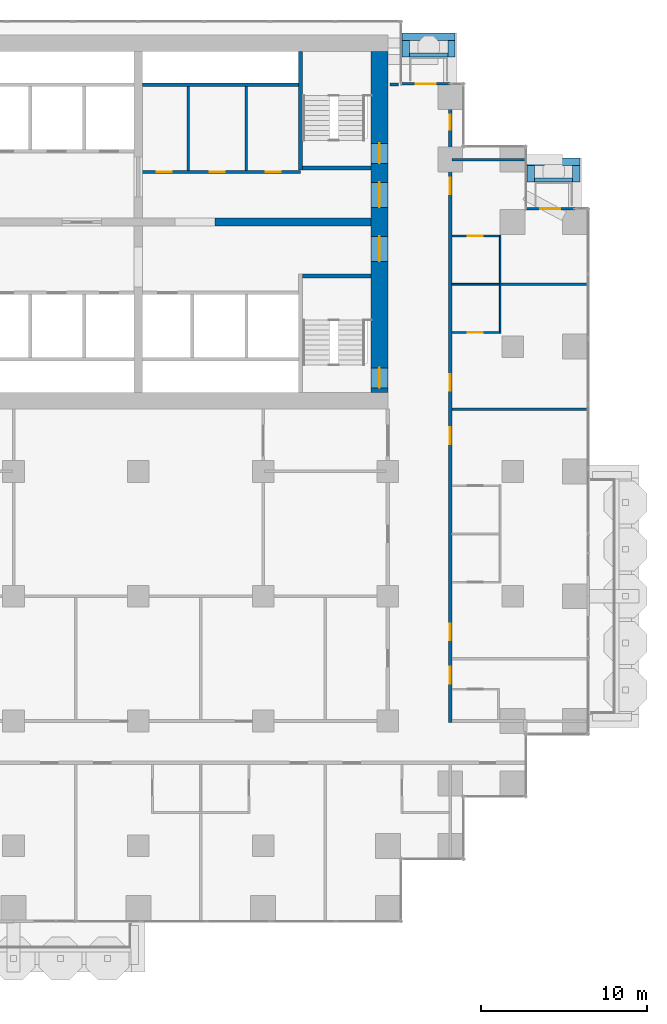
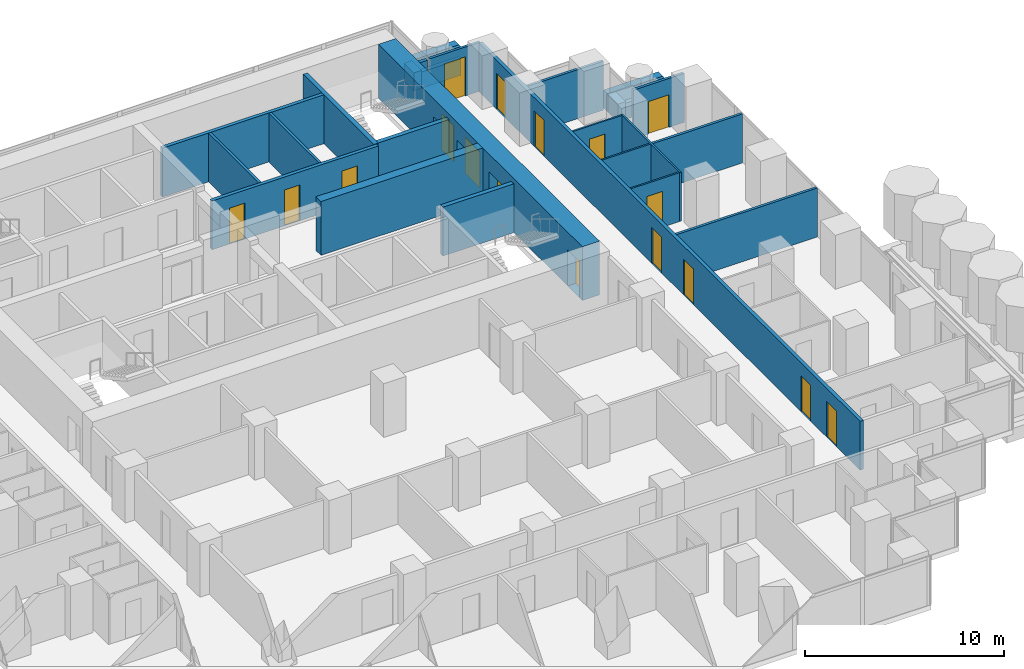
# One storey, part 14 of 18: 28 walls, 17 doors, 17 openings.
"""IFC4 building model written with IfcOpenShell, lengths in metres."""

from ifc_helpers import new_model, si_unit, direction, frame, frame_2d, origin, place, context, subcontext, project, spatial, rectangle, extrude, material, layer, layer_set, type_object, element, fill, save


model = new_model("IFC4")

# Units and contexts
model_context = context("Model", 3, precision=1e-05, world=origin(), true_north=direction((0.0, 1.0)))
body_context = subcontext(model_context, "Body", "Model", "MODEL_VIEW")
ifc_project = project(units=[si_unit("LENGTHUNIT", "METRE"), si_unit("AREAUNIT", "SQUARE_METRE"), si_unit("VOLUMEUNIT", "CUBIC_METRE"), si_unit("PLANEANGLEUNIT", "RADIAN"), si_unit("MASSUNIT", "GRAM", prefix="KILO")], contexts=[model_context])

# Site, building, storey
site_placement = place(None, origin())
site = spatial("IfcSite", under=ifc_project, at=site_placement, CompositionType="ELEMENT")
building_placement = place(site_placement, origin())
building = spatial("IfcBuilding", under=site, at=building_placement, Name="Pilkhan Gate Tower", CompositionType="ELEMENT")
storey_placement = place(building_placement, frame((0.0, 0.0, 75.800048828125)))
storey = spatial("IfcBuildingStorey", under=building, at=storey_placement, Name="L17", CompositionType="ELEMENT", Elevation=75.800048828125)

# Walls
ifc_material_1 = material(Name="Concrete C40/50", Category="concrete")
ifc_layer_1 = layer(ifc_material_1, 0.25)
ifc_layer_set_1 = layer_set([ifc_layer_1], Name="Balcony planter BP250")
wall_type_1 = type_object("IfcWallType", Name="Balcony planter BP250", PredefinedType="USERDEFINED", material=ifc_layer_set_1)
wall_1_placement = place(storey_placement, frame((91.300048828125, 92.52490234375, 0.0), z_axis=(0.0, 0.0, 1.0), x_axis=(1.0, 0.0, 0.0)))
element("IfcWall", 1, at=wall_1_placement, inside=storey, type_object=wall_type_1, Name="Balcony planter L17 N", ObjectType="BALCONY PLANTER", PredefinedType="USERDEFINED", context=body_context, shape_type="SweptSolid", body=[
    extrude(rectangle(XDim=2.300048828125, YDim=0.25, at=frame_2d((1.14990234375, 0.0))), origin(), (0.0, 0.0, 1.0), 1.0),
])
wall_2_placement = place(storey_placement, frame((98.820068359375, 85.02490234375, 0.0), z_axis=(0.0, 0.0, 1.0), x_axis=(1.0, 0.0, 0.0)))
element("IfcWall", 2, at=wall_2_placement, inside=storey, type_object=wall_type_1, Name="Balcony planter L17 N", ObjectType="BALCONY PLANTER", PredefinedType="USERDEFINED", context=body_context, shape_type="SweptSolid", body=[
    extrude(rectangle(XDim=2.280029296875, YDim=0.25, at=frame_2d((1.14013671875, 0.0))), origin(), (0.0, 0.0, 1.0), 1.0),
])
ifc_material_2 = material(Name="Board-marked Concrete C40/50", Category="concrete")
ifc_layer_2 = layer(ifc_material_2, 0.449951171875)
ifc_layer_set_2 = layer_set([ifc_layer_2], Name="Balcony planter lip BL450")
wall_type_2 = type_object("IfcWallType", Name="Balcony planter lip BL450", PredefinedType="USERDEFINED", material=ifc_layer_set_2)
wall_3_placement = place(storey_placement, frame((90.85009765625, 93.625, 0.0), z_axis=(0.0, 0.0, 1.0), x_axis=(1.0, 0.0, 0.0)))
element("IfcWall", 3, at=wall_3_placement, inside=storey, type_object=wall_type_2, Name="Balcony planter L17 N", ObjectType="BALCONY PLANTER", PredefinedType="USERDEFINED", context=body_context, shape_type="SweptSolid", body=[
    extrude(rectangle(XDim=3.199951171875, YDim=0.449951171875, at=frame_2d((1.60009765625, 0.0))), origin(), (0.0, 0.0, 1.0), 1.099853515625),
])
for number, where, z_axis, x_axis, name in (
    (4, (91.074951171875, 92.39990234375, 0.0), (0.0, 0.0, 1.0), (0.0, 1.0, 0.0), "Balcony planter L17 N"),
    (5, (93.824951171875, 92.39990234375, 0.0), (0.0, 0.0, 1.0), (0.0, 1.0, 0.0), "Balcony planter L17 N"),
):
    element("IfcWall", number, at=place(storey_placement, frame(where, z_axis=z_axis, x_axis=x_axis)), inside=storey, type_object=wall_type_2, Name=name, ObjectType="BALCONY PLANTER", PredefinedType="USERDEFINED", context=body_context, shape_type="SweptSolid", body=[
        extrude(rectangle(XDim=1.0, YDim=0.449951171875, at=frame_2d((0.5, 0.0))), origin(), (0.0, 0.0, 1.0), 1.099853515625),
    ])
wall_4_placement = place(storey_placement, frame((98.3701171875, 86.125, 0.0), z_axis=(0.0, 0.0, 1.0), x_axis=(1.0, 0.0, 0.0)))
element("IfcWall", 6, at=wall_4_placement, inside=storey, type_object=wall_type_2, Name="Balcony planter L17 N", ObjectType="BALCONY PLANTER", PredefinedType="USERDEFINED", context=body_context, shape_type="SweptSolid", body=[
    extrude(rectangle(XDim=3.179931640625, YDim=0.449951171875, at=frame_2d((1.58984375, 0.0))), origin(), (0.0, 0.0, 1.0), 1.099853515625),
])
for number, where, z_axis, x_axis, name in (
    (7, (98.594970703125, 84.89990234375, 0.0), (0.0, 0.0, 1.0), (0.0, 1.0, 0.0), "Balcony planter L17 N"),
    (8, (101.324951171875, 84.89990234375, 0.0), (0.0, 0.0, 1.0), (0.0, 1.0, 0.0), "Balcony planter L17 N"),
):
    element("IfcWall", number, at=place(storey_placement, frame(where, z_axis=z_axis, x_axis=x_axis)), inside=storey, type_object=wall_type_2, Name=name, ObjectType="BALCONY PLANTER", PredefinedType="USERDEFINED", context=body_context, shape_type="SweptSolid", body=[
        extrude(rectangle(XDim=1.0, YDim=0.449951171875, at=frame_2d((0.5, 0.0))), origin(), (0.0, 0.0, 1.0), 1.099853515625),
    ])

# Wall, openings, doors
ifc_material_3 = material(Name="Concrete C70/85", Category="concrete")
ifc_layer_3 = layer(ifc_material_3, 1.0)
ifc_layer_set_3 = layer_set([ifc_layer_3], Name="Core wall CW1000 C70/85")
wall_type_3 = type_object("IfcWallType", Name="Core wall CW1000 C70/85", PredefinedType="SHEAR", material=ifc_layer_set_3)
wall_5_placement = place(storey_placement, frame((89.5, 72.25, 0.0), z_axis=(0.0, 0.0, 1.0), x_axis=(0.0, 1.0, 0.0)))
wall_5 = element("IfcWall", 9, at=wall_5_placement, inside=storey, type_object=wall_type_3, Name="Core wall E L17", PredefinedType="SHEAR", context=body_context, shape_type="SweptSolid", body=[
    extrude(rectangle(XDim=20.5, YDim=1.0, at=frame_2d((10.25, 0.0))), origin(), (0.0, 0.0, 1.0), 3.300048828125),
])
opening_1_placement = place(wall_5_placement, frame((0.27490234375, 0.0, 0.0)))
opening_1 = element("IfcOpeningElement", 10, at=opening_1_placement, cuts=wall_5, Name="Opening L17-03", PredefinedType="OPENING", context=body_context, shape_type="SweptSolid", body=[
    extrude(rectangle(XDim=1.199951171875, YDim=2.199951171875, at=frame_2d((0.60009765625, 1.10009765625))), frame((0.0, 0.510009765625, 0.0), z_axis=(0.0, -1.0, 0.0), x_axis=(1.0, 0.0, 0.0)), (0.0, 0.0, 1.0), 1.02001953125),
])
opening_2_placement = place(wall_5_placement, frame((13.77490234375, 0.0, 0.0)))
opening_2 = element("IfcOpeningElement", 11, at=opening_2_placement, cuts=wall_5, Name="Opening L17-05", PredefinedType="OPENING", context=body_context, shape_type="SweptSolid", body=[
    extrude(rectangle(XDim=1.199951171875, YDim=2.199951171875, at=frame_2d((0.60009765625, 1.10009765625))), frame((0.0, 0.510009765625, 0.0), z_axis=(0.0, -1.0, 0.0), x_axis=(1.0, 0.0, 0.0)), (0.0, 0.0, 1.0), 1.02001953125),
])
opening_3_placement = place(wall_5_placement, frame((7.875, 0.0, 0.0)))
opening_3 = element("IfcOpeningElement", 12, at=opening_3_placement, cuts=wall_5, Name="Opening L17-42", PredefinedType="OPENING", context=body_context, shape_type="SweptSolid", body=[
    extrude(rectangle(XDim=1.5, YDim=2.199951171875, at=frame_2d((0.75, 1.10009765625))), frame((0.0, 0.510009765625, 0.0), z_axis=(0.0, -1.0, 0.0), x_axis=(1.0, 0.0, 0.0)), (0.0, 0.0, 1.0), 1.02001953125),
])
opening_4_placement = place(wall_5_placement, frame((11.125, 0.0, 0.0)))
opening_4 = element("IfcOpeningElement", 13, at=opening_4_placement, cuts=wall_5, Name="Opening L17-44", PredefinedType="OPENING", context=body_context, shape_type="SweptSolid", body=[
    extrude(rectangle(XDim=1.5, YDim=2.199951171875, at=frame_2d((0.75, 1.10009765625))), frame((0.0, 0.510009765625, 0.0), z_axis=(0.0, -1.0, 0.0), x_axis=(1.0, 0.0, 0.0)), (0.0, 0.0, 1.0), 1.02001953125),
])
ifc_material_4 = material(Name="Steel framed glazed door, 60 minute fire resisting", Category="steel")
door_type_1 = type_object("IfcDoorType", Name="Lobby door D09 1500x2200", OperationType="DOUBLE_DOOR_SINGLE_SWING", PredefinedType="DOOR", material=ifc_material_4)
door_1_placement = place(opening_3_placement, origin())
door_1 = element("IfcDoor", 14, at=door_1_placement, inside=storey, type_object=door_type_1, Name="Core door", OperationType="DOUBLE_DOOR_SINGLE_SWING", OverallHeight=2.199951171875, OverallWidth=1.5, PredefinedType="DOOR", context=body_context, shape_type="SweptSolid", body=[
    extrude(rectangle(XDim=1.5, YDim=2.199951171875, at=frame_2d((0.75, 1.10009765625))), frame((0.0, 0.02490234375, 0.0), z_axis=(0.0, -1.0, 0.0), x_axis=(1.0, 0.0, 0.0)), (0.0, 0.0, 1.0), 0.050048828125),
])
fill(opening_3, door_1)
door_2_placement = place(opening_4_placement, origin())
door_2 = element("IfcDoor", 15, at=door_2_placement, inside=storey, type_object=door_type_1, Name="Core door", OperationType="DOUBLE_DOOR_SINGLE_SWING", OverallHeight=2.199951171875, OverallWidth=1.5, PredefinedType="DOOR", context=body_context, shape_type="SweptSolid", body=[
    extrude(rectangle(XDim=1.5, YDim=2.199951171875, at=frame_2d((0.75, 1.10009765625))), frame((0.0, 0.02490234375, 0.0), z_axis=(0.0, -1.0, 0.0), x_axis=(1.0, 0.0, 0.0)), (0.0, 0.0, 1.0), 0.050048828125),
])
fill(opening_4, door_2)
ifc_material_5 = material(Name="Steel door, 120 minute fire resisting, panic bar", Category="steel")
door_type_2 = type_object("IfcDoorType", Name="Stair door D11 1200x2200", OperationType="SINGLE_SWING_LEFT", PredefinedType="DOOR", material=ifc_material_5)
door_3_placement = place(opening_1_placement, origin())
door_3 = element("IfcDoor", 16, at=door_3_placement, inside=storey, type_object=door_type_2, Name="Stair ST1 door", OperationType="SINGLE_SWING_RIGHT", OverallHeight=2.199951171875, OverallWidth=1.199951171875, PredefinedType="DOOR", context=body_context, shape_type="SweptSolid", body=[
    extrude(rectangle(XDim=1.199951171875, YDim=2.199951171875, at=frame_2d((0.60009765625, 1.10009765625))), frame((0.0, 0.02490234375, 0.0), z_axis=(0.0, -1.0, 0.0), x_axis=(1.0, 0.0, 0.0)), (0.0, 0.0, 1.0), 0.050048828125),
])
fill(opening_1, door_3)
door_4_placement = place(opening_2_placement, origin())
door_4 = element("IfcDoor", 17, at=door_4_placement, inside=storey, type_object=door_type_2, Name="Stair ST4 door", OperationType="SINGLE_SWING_LEFT", OverallHeight=2.199951171875, OverallWidth=1.199951171875, PredefinedType="DOOR", context=body_context, shape_type="SweptSolid", body=[
    extrude(rectangle(XDim=1.199951171875, YDim=2.199951171875, at=frame_2d((0.60009765625, 1.10009765625))), frame((0.0, 0.02490234375, 0.0), z_axis=(0.0, -1.0, 0.0), x_axis=(1.0, 0.0, 0.0)), (0.0, 0.0, 1.0), 0.050048828125),
])
fill(opening_2, door_4)

# Wall
ifc_material_6 = material(Name="Dense blockwork", Category="masonry")
ifc_layer_4 = layer(ifc_material_6, 0.199951171875)
ifc_layer_set_4 = layer_set([ifc_layer_4], Name="Corridor wall FW200")
wall_type_4 = type_object("IfcWallType", Name="Corridor wall FW200", PredefinedType="PARTITIONING", material=ifc_layer_set_4)
wall_6_placement = place(storey_placement, frame((90.1201171875, 90.764892578125, 0.0), z_axis=(0.0, 0.0, 1.0), x_axis=(1.0, 0.0, 0.0)))
element("IfcWall", 18, at=wall_6_placement, inside=storey, type_object=wall_type_4, Name="Partition L17", PredefinedType="PARTITIONING", context=body_context, shape_type="SweptSolid", body=[
    extrude(rectangle(XDim=0.52490234375, YDim=0.199951171875, at=frame_2d((0.262451171875, 0.0))), origin(), (0.0, 0.0, 1.0), 3.0),
])

# Wall, openings, doors
wall_7_placement = place(storey_placement, frame((93.75, 52.39990234375, 0.0), z_axis=(0.0, 0.0, 1.0), x_axis=(0.0, 1.0, 0.0)))
wall_7 = element("IfcWall", 19, at=wall_7_placement, inside=storey, type_object=wall_type_4, Name="Partition L17", PredefinedType="PARTITIONING", context=body_context, shape_type="SweptSolid", body=[
    extrude(rectangle(XDim=38.31005859375, YDim=0.199951171875, at=frame_2d((19.155029296875, 0.0))), origin(), (0.0, 0.0, 1.0), 3.0),
])
opening_5_placement = place(wall_7_placement, frame((2.35009765625, 0.0, 0.0)))
opening_5 = element("IfcOpeningElement", 20, at=opening_5_placement, cuts=wall_7, Name="Opening L17-32", PredefinedType="OPENING", context=body_context, shape_type="SweptSolid", body=[
    extrude(rectangle(XDim=1.0, YDim=2.199951171875, at=frame_2d((0.5, 1.10009765625))), frame((0.0, 0.10986328125, 0.0), z_axis=(0.0, -1.0, 0.0), x_axis=(1.0, 0.0, 0.0)), (0.0, 0.0, 1.0), 0.219970703125),
])
opening_6_placement = place(wall_7_placement, frame((4.949951171875, 0.0, 0.0)))
opening_6 = element("IfcOpeningElement", 21, at=opening_6_placement, cuts=wall_7, Name="Opening L17-34", PredefinedType="OPENING", context=body_context, shape_type="SweptSolid", body=[
    extrude(rectangle(XDim=1.0, YDim=2.199951171875, at=frame_2d((0.5, 1.10009765625))), frame((0.0, 0.10986328125, 0.0), z_axis=(0.0, -1.0, 0.0), x_axis=(1.0, 0.0, 0.0)), (0.0, 0.0, 1.0), 0.219970703125),
])
opening_7_placement = place(wall_7_placement, frame((16.75, 0.0, 0.0)))
opening_7 = element("IfcOpeningElement", 22, at=opening_7_placement, cuts=wall_7, Name="Opening L17-36", PredefinedType="OPENING", context=body_context, shape_type="SweptSolid", body=[
    extrude(rectangle(XDim=1.0, YDim=2.199951171875, at=frame_2d((0.5, 1.10009765625))), frame((0.0, 0.10986328125, 0.0), z_axis=(0.0, -1.0, 0.0), x_axis=(1.0, 0.0, 0.0)), (0.0, 0.0, 1.0), 0.219970703125),
])
opening_8_placement = place(wall_7_placement, frame((19.949951171875, 0.0, 0.0)))
opening_8 = element("IfcOpeningElement", 23, at=opening_8_placement, cuts=wall_7, Name="Opening L17-38", PredefinedType="OPENING", context=body_context, shape_type="SweptSolid", body=[
    extrude(rectangle(XDim=1.0, YDim=2.199951171875, at=frame_2d((0.5, 1.10009765625))), frame((0.0, 0.10986328125, 0.0), z_axis=(0.0, -1.0, 0.0), x_axis=(1.0, 0.0, 0.0)), (0.0, 0.0, 1.0), 0.219970703125),
])
opening_9_placement = place(wall_7_placement, frame((31.75, 0.0, 0.0)))
opening_9 = element("IfcOpeningElement", 24, at=opening_9_placement, cuts=wall_7, Name="Opening L17-40", PredefinedType="OPENING", context=body_context, shape_type="SweptSolid", body=[
    extrude(rectangle(XDim=1.0, YDim=2.199951171875, at=frame_2d((0.5, 1.10009765625))), frame((0.0, 0.10986328125, 0.0), z_axis=(0.0, -1.0, 0.0), x_axis=(1.0, 0.0, 0.0)), (0.0, 0.0, 1.0), 0.219970703125),
])
opening_10_placement = place(wall_7_placement, frame((35.64990234375, 0.0, 0.0)))
opening_10 = element("IfcOpeningElement", 25, at=opening_10_placement, cuts=wall_7, Name="Opening L17-51", PredefinedType="OPENING", context=body_context, shape_type="SweptSolid", body=[
    extrude(rectangle(XDim=0.89990234375, YDim=2.199951171875, at=frame_2d((0.449951171875, 1.10009765625))), frame((0.0, 0.10986328125, 0.0), z_axis=(0.0, -1.0, 0.0), x_axis=(1.0, 0.0, 0.0)), (0.0, 0.0, 1.0), 0.219970703125),
])
ifc_material_7 = material(Name="Timber flush door, 30 minute fire resisting", Category="wood")
door_type_3 = type_object("IfcDoorType", Name="Guest room door D01 1000x2200", OperationType="SINGLE_SWING_LEFT", PredefinedType="DOOR", material=ifc_material_7)
door_5_placement = place(opening_5_placement, origin())
door_5 = element("IfcDoor", 26, at=door_5_placement, inside=storey, type_object=door_type_3, Name="Guest room door", OperationType="SINGLE_SWING_RIGHT", OverallHeight=2.199951171875, OverallWidth=1.0, PredefinedType="DOOR", context=body_context, shape_type="SweptSolid", body=[
    extrude(rectangle(XDim=1.0, YDim=2.199951171875, at=frame_2d((0.5, 1.10009765625))), frame((0.0, 0.02490234375, 0.0), z_axis=(0.0, -1.0, 0.0), x_axis=(1.0, 0.0, 0.0)), (0.0, 0.0, 1.0), 0.050048828125),
])
fill(opening_5, door_5)
door_6_placement = place(opening_6_placement, origin())
door_6 = element("IfcDoor", 27, at=door_6_placement, inside=storey, type_object=door_type_3, Name="Guest room door", OperationType="SINGLE_SWING_LEFT", OverallHeight=2.199951171875, OverallWidth=1.0, PredefinedType="DOOR", context=body_context, shape_type="SweptSolid", body=[
    extrude(rectangle(XDim=1.0, YDim=2.199951171875, at=frame_2d((0.5, 1.10009765625))), frame((0.0, 0.02490234375, 0.0), z_axis=(0.0, -1.0, 0.0), x_axis=(1.0, 0.0, 0.0)), (0.0, 0.0, 1.0), 0.050048828125),
])
fill(opening_6, door_6)
door_7_placement = place(opening_7_placement, origin())
door_7 = element("IfcDoor", 28, at=door_7_placement, inside=storey, type_object=door_type_3, Name="Guest room door", OperationType="SINGLE_SWING_RIGHT", OverallHeight=2.199951171875, OverallWidth=1.0, PredefinedType="DOOR", context=body_context, shape_type="SweptSolid", body=[
    extrude(rectangle(XDim=1.0, YDim=2.199951171875, at=frame_2d((0.5, 1.10009765625))), frame((0.0, 0.02490234375, 0.0), z_axis=(0.0, -1.0, 0.0), x_axis=(1.0, 0.0, 0.0)), (0.0, 0.0, 1.0), 0.050048828125),
])
fill(opening_7, door_7)
door_8_placement = place(opening_8_placement, origin())
door_8 = element("IfcDoor", 29, at=door_8_placement, inside=storey, type_object=door_type_3, Name="Guest room door", OperationType="SINGLE_SWING_LEFT", OverallHeight=2.199951171875, OverallWidth=1.0, PredefinedType="DOOR", context=body_context, shape_type="SweptSolid", body=[
    extrude(rectangle(XDim=1.0, YDim=2.199951171875, at=frame_2d((0.5, 1.10009765625))), frame((0.0, 0.02490234375, 0.0), z_axis=(0.0, -1.0, 0.0), x_axis=(1.0, 0.0, 0.0)), (0.0, 0.0, 1.0), 0.050048828125),
])
fill(opening_8, door_8)
door_9_placement = place(opening_9_placement, origin())
door_9 = element("IfcDoor", 30, at=door_9_placement, inside=storey, type_object=door_type_3, Name="Guest room door", OperationType="SINGLE_SWING_LEFT", OverallHeight=2.199951171875, OverallWidth=1.0, PredefinedType="DOOR", context=body_context, shape_type="SweptSolid", body=[
    extrude(rectangle(XDim=1.0, YDim=2.199951171875, at=frame_2d((0.5, 1.10009765625))), frame((0.0, 0.02490234375, 0.0), z_axis=(0.0, -1.0, 0.0), x_axis=(1.0, 0.0, 0.0)), (0.0, 0.0, 1.0), 0.050048828125),
])
fill(opening_9, door_9)
ifc_material_8 = material(Name="Timber flush door, 60 minute fire resisting, self-closing", Category="wood")
door_type_4 = type_object("IfcDoorType", Name="Store door D05 900x2200", OperationType="SINGLE_SWING_LEFT", PredefinedType="DOOR", material=ifc_material_8)
door_10_placement = place(opening_10_placement, origin())
door_10 = element("IfcDoor", 31, at=door_10_placement, inside=storey, type_object=door_type_4, Name="Store door", OperationType="SINGLE_SWING_LEFT", OverallHeight=2.199951171875, OverallWidth=0.89990234375, PredefinedType="DOOR", context=body_context, shape_type="SweptSolid", body=[
    extrude(rectangle(XDim=0.89990234375, YDim=2.199951171875, at=frame_2d((0.449951171875, 1.10009765625))), frame((0.0, 0.02490234375, 0.0), z_axis=(0.0, -1.0, 0.0), x_axis=(1.0, 0.0, 0.0)), (0.0, 0.0, 1.0), 0.050048828125),
])
fill(opening_10, door_10)

# Wall, opening, door
ifc_material_9 = material(Name="Pale anodised aluminium, clear laminated glazing", Category="aluminium")
ifc_layer_5 = layer(ifc_material_9, 0.14990234375)
ifc_layer_set_5 = layer_set([ifc_layer_5], Name="Facade infill wall IW150")
wall_type_5 = type_object("IfcWallType", Name="Facade infill wall IW150", PredefinedType="SOLIDWALL", material=ifc_layer_set_5)
wall_8_placement = place(storey_placement, frame((98.294921875, 83.294921875, 0.0), z_axis=(0.0, 0.0, 1.0), x_axis=(1.0, 0.0, 0.0)))
wall_8 = element("IfcWall", 32, at=wall_8_placement, inside=storey, type_object=wall_type_5, Name="Infill wall L17 N", PredefinedType="SOLIDWALL", context=body_context, shape_type="SweptSolid", body=[
    extrude(rectangle(XDim=2.955078125, YDim=0.14990234375, at=frame_2d((1.4775390625, 0.0))), origin(), (0.0, 0.0, 1.0), 3.0),
])
opening_11_placement = place(wall_8_placement, frame((0.87744140625, 0.0, 0.0)))
opening_11 = element("IfcOpeningElement", 33, at=opening_11_placement, cuts=wall_8, Name="Opening D1L", PredefinedType="OPENING", context=body_context, shape_type="SweptSolid", body=[
    extrude(rectangle(XDim=1.199951171875, YDim=2.0, at=frame_2d((0.60009765625, 1.0))), frame((0.0, 0.0849609375, 0.0), z_axis=(0.0, -1.0, 0.0), x_axis=(1.0, 0.0, 0.0)), (0.0, 0.0, 1.0), 0.169921875),
])
ifc_material_10 = material(Name="Pale anodised aluminium, clear glazing", Category="aluminium")
door_type_5 = type_object("IfcDoorType", Name="Balcony door D1L 1200x2000", OperationType="SINGLE_SWING_LEFT", PredefinedType="DOOR", material=ifc_material_10)
door_11_placement = place(opening_11_placement, origin())
door_11 = element("IfcDoor", 34, at=door_11_placement, inside=storey, type_object=door_type_5, Name="Balcony door L17", OperationType="SINGLE_SWING_LEFT", OverallHeight=2.0, OverallWidth=1.199951171875, PredefinedType="DOOR", context=body_context, shape_type="SweptSolid", body=[
    extrude(rectangle(XDim=1.199951171875, YDim=2.0, at=frame_2d((0.60009765625, 1.0))), frame((0.0, 0.02490234375, 0.0), z_axis=(0.0, -1.0, 0.0), x_axis=(1.0, 0.0, 0.0)), (0.0, 0.0, 1.0), 0.050048828125),
])
fill(opening_11, door_11)

wall_9_placement = place(storey_placement, frame((90.794921875, 90.794921875, 0.0), z_axis=(0.0, 0.0, 1.0), x_axis=(1.0, 0.0, 0.0)))
wall_9 = element("IfcWall", 35, at=wall_9_placement, inside=storey, type_object=wall_type_5, Name="Infill wall L17 N", PredefinedType="SOLIDWALL", context=body_context, shape_type="SweptSolid", body=[
    extrude(rectangle(XDim=2.955078125, YDim=0.14990234375, at=frame_2d((1.4775390625, 0.0))), origin(), (0.0, 0.0, 1.0), 3.0),
])
opening_12_placement = place(wall_9_placement, frame((0.87744140625, 0.0, 0.0)))
opening_12 = element("IfcOpeningElement", 36, at=opening_12_placement, cuts=wall_9, Name="Opening D1", PredefinedType="OPENING", context=body_context, shape_type="SweptSolid", body=[
    extrude(rectangle(XDim=1.199951171875, YDim=2.39990234375, at=frame_2d((0.60009765625, 1.199951171875))), frame((0.0, 0.0849609375, 0.0), z_axis=(0.0, -1.0, 0.0), x_axis=(1.0, 0.0, 0.0)), (0.0, 0.0, 1.0), 0.169921875),
])
door_type_6 = type_object("IfcDoorType", Name="Balcony door D1 1200x2400", OperationType="SINGLE_SWING_LEFT", PredefinedType="DOOR", material=ifc_material_10)
door_12_placement = place(opening_12_placement, origin())
door_12 = element("IfcDoor", 37, at=door_12_placement, inside=storey, type_object=door_type_6, Name="Balcony door L17", OperationType="SINGLE_SWING_LEFT", OverallHeight=2.39990234375, OverallWidth=1.199951171875, PredefinedType="DOOR", context=body_context, shape_type="SweptSolid", body=[
    extrude(rectangle(XDim=1.199951171875, YDim=2.39990234375, at=frame_2d((0.60009765625, 1.199951171875))), frame((0.0, 0.02490234375, 0.0), z_axis=(0.0, -1.0, 0.0), x_axis=(1.0, 0.0, 0.0)), (0.0, 0.0, 1.0), 0.050048828125),
])
fill(opening_12, door_12)

# Wall, openings, doors
ifc_layer_6 = layer(ifc_material_6, 0.199951171875)
ifc_layer_set_6 = layer_set([ifc_layer_6], Name="Lobby wall LW200")
wall_type_6 = type_object("IfcWallType", Name="Lobby wall LW200", PredefinedType="PARTITIONING", material=ifc_layer_set_6)
wall_10_placement = place(storey_placement, frame((75.10009765625, 85.5, 0.0), z_axis=(0.0, 0.0, 1.0), x_axis=(1.0, 0.0, 0.0)))
wall_10 = element("IfcWall", 38, at=wall_10_placement, inside=storey, type_object=wall_type_6, Name="Partition L17", PredefinedType="PARTITIONING", context=body_context, shape_type="SweptSolid", body=[
    extrude(rectangle(XDim=9.64990234375, YDim=0.199951171875, at=frame_2d((4.824951171875, 0.0))), origin(), (0.0, 0.0, 1.0), 3.0),
])
opening_13_placement = place(wall_10_placement, frame((1.0, 0.0, 0.0)))
opening_13 = element("IfcOpeningElement", 39, at=opening_13_placement, cuts=wall_10, Name="Opening L17-45", PredefinedType="OPENING", context=body_context, shape_type="SweptSolid", body=[
    extrude(rectangle(XDim=0.89990234375, YDim=2.199951171875, at=frame_2d((0.449951171875, 1.10009765625))), frame((0.0, 0.10986328125, 0.0), z_axis=(0.0, -1.0, 0.0), x_axis=(1.0, 0.0, 0.0)), (0.0, 0.0, 1.0), 0.219970703125),
])
opening_14_placement = place(wall_10_placement, frame((4.199951171875, 0.0, 0.0)))
opening_14 = element("IfcOpeningElement", 40, at=opening_14_placement, cuts=wall_10, Name="Opening L17-46", PredefinedType="OPENING", context=body_context, shape_type="SweptSolid", body=[
    extrude(rectangle(XDim=0.89990234375, YDim=2.199951171875, at=frame_2d((0.449951171875, 1.10009765625))), frame((0.0, 0.10986328125, 0.0), z_axis=(0.0, -1.0, 0.0), x_axis=(1.0, 0.0, 0.0)), (0.0, 0.0, 1.0), 0.219970703125),
])
opening_15_placement = place(wall_10_placement, frame((7.550048828125, 0.0, 0.0)))
opening_15 = element("IfcOpeningElement", 41, at=opening_15_placement, cuts=wall_10, Name="Opening L17-47", PredefinedType="OPENING", context=body_context, shape_type="SweptSolid", body=[
    extrude(rectangle(XDim=0.89990234375, YDim=2.199951171875, at=frame_2d((0.449951171875, 1.10009765625))), frame((0.0, 0.10986328125, 0.0), z_axis=(0.0, -1.0, 0.0), x_axis=(1.0, 0.0, 0.0)), (0.0, 0.0, 1.0), 0.219970703125),
])
door_13_placement = place(opening_14_placement, origin())
door_13 = element("IfcDoor", 42, at=door_13_placement, inside=storey, type_object=door_type_4, Name="Store door", OperationType="SINGLE_SWING_LEFT", OverallHeight=2.199951171875, OverallWidth=0.89990234375, PredefinedType="DOOR", context=body_context, shape_type="SweptSolid", body=[
    extrude(rectangle(XDim=0.89990234375, YDim=2.199951171875, at=frame_2d((0.449951171875, 1.10009765625))), frame((0.0, 0.02490234375, 0.0), z_axis=(0.0, -1.0, 0.0), x_axis=(1.0, 0.0, 0.0)), (0.0, 0.0, 1.0), 0.050048828125),
])
fill(opening_14, door_13)
door_14_placement = place(opening_15_placement, origin())
door_14 = element("IfcDoor", 43, at=door_14_placement, inside=storey, type_object=door_type_4, Name="Store door", OperationType="SINGLE_SWING_LEFT", OverallHeight=2.199951171875, OverallWidth=0.89990234375, PredefinedType="DOOR", context=body_context, shape_type="SweptSolid", body=[
    extrude(rectangle(XDim=0.89990234375, YDim=2.199951171875, at=frame_2d((0.449951171875, 1.10009765625))), frame((0.0, 0.02490234375, 0.0), z_axis=(0.0, -1.0, 0.0), x_axis=(1.0, 0.0, 0.0)), (0.0, 0.0, 1.0), 0.050048828125),
])
fill(opening_15, door_14)
door_type_7 = type_object("IfcDoorType", Name="Toilet door D06 900x2200", OperationType="SINGLE_SWING_LEFT", PredefinedType="DOOR", material=ifc_material_7)
door_15_placement = place(opening_13_placement, origin())
door_15 = element("IfcDoor", 44, at=door_15_placement, inside=storey, type_object=door_type_7, Name="Toilet door", OperationType="SINGLE_SWING_RIGHT", OverallHeight=2.199951171875, OverallWidth=0.89990234375, PredefinedType="DOOR", context=body_context, shape_type="SweptSolid", body=[
    extrude(rectangle(XDim=0.89990234375, YDim=2.199951171875, at=frame_2d((0.449951171875, 1.10009765625))), frame((0.0, 0.02490234375, 0.0), z_axis=(0.0, -1.0, 0.0), x_axis=(1.0, 0.0, 0.0)), (0.0, 0.0, 1.0), 0.050048828125),
])
fill(opening_13, door_15)

# Walls
wall_11_placement = place(storey_placement, frame((75.260009765625, 90.75, 0.0), z_axis=(0.0, 0.0, 1.0), x_axis=(1.0, 0.0, 0.0)))
element("IfcWall", 45, at=wall_11_placement, inside=storey, type_object=wall_type_6, Name="Partition L17", PredefinedType="PARTITIONING", context=body_context, shape_type="SweptSolid", body=[
    extrude(rectangle(XDim=9.364990234375, YDim=0.199951171875, at=frame_2d((4.6826171875, 0.0))), origin(), (0.0, 0.0, 1.0), 3.0),
])
ifc_material_11 = material(Name="Blockwork partition, plastered both sides", Category="masonry")
ifc_layer_7 = layer(ifc_material_11, 0.14990234375)
ifc_layer_set_7 = layer_set([ifc_layer_7], Name="Partition PW150")
wall_type_7 = type_object("IfcWallType", Name="Partition PW150", PredefinedType="PARTITIONING", material=ifc_layer_set_7)
wall_12_placement = place(storey_placement, frame((93.85009765625, 71.25, 0.0), z_axis=(0.0, 0.0, 1.0), x_axis=(1.0, 0.0, 0.0)))
element("IfcWall", 46, at=wall_12_placement, inside=storey, type_object=wall_type_7, Name="Partition L17", PredefinedType="PARTITIONING", context=body_context, shape_type="SweptSolid", body=[
    extrude(rectangle(XDim=8.164794921875, YDim=0.14990234375, at=frame_2d((4.08251953125, 0.0))), origin(), (0.0, 0.0, 1.0), 3.0),
])
wall_13_placement = place(storey_placement, frame((96.800048828125, 78.75, 0.0), z_axis=(0.0, 0.0, 1.0), x_axis=(1.0, 0.0, 0.0)))
element("IfcWall", 47, at=wall_13_placement, inside=storey, type_object=wall_type_7, Name="Partition L17", PredefinedType="PARTITIONING", context=body_context, shape_type="SweptSolid", body=[
    extrude(rectangle(XDim=5.21484375, YDim=0.14990234375, at=frame_2d((2.607421875, 0.0))), origin(), (0.0, 0.0, 1.0), 3.0),
])
wall_14_placement = place(storey_placement, frame((93.85009765625, 86.25, 0.0), z_axis=(0.0, 0.0, 1.0), x_axis=(1.0, 0.0, 0.0)))
element("IfcWall", 48, at=wall_14_placement, inside=storey, type_object=wall_type_7, Name="Partition L17", PredefinedType="PARTITIONING", context=body_context, shape_type="SweptSolid", body=[
    extrude(rectangle(XDim=4.414794921875, YDim=0.14990234375, at=frame_2d((2.20751953125, 0.0))), origin(), (0.0, 0.0, 1.0), 3.0),
])
for number, where, z_axis, x_axis, name in (
    (49, (78.0, 85.60009765625, 0.0), (0.0, 0.0, 1.0), (0.0, 1.0, 0.0), "Partition L17"),
    (50, (81.5, 85.60009765625, 0.0), (0.0, 0.0, 1.0), (0.0, 1.0, 0.0), "Partition L17"),
):
    element("IfcWall", number, at=place(storey_placement, frame(where, z_axis=z_axis, x_axis=x_axis)), inside=storey, type_object=wall_type_7, Name=name, PredefinedType="PARTITIONING", context=body_context, shape_type="SweptSolid", body=[
        extrude(rectangle(XDim=5.0498046875, YDim=0.14990234375, at=frame_2d((2.52490234375, 0.0))), origin(), (0.0, 0.0, 1.0), 3.0),
    ])
ifc_layer_8 = layer(ifc_material_3, 0.5)
ifc_layer_set_8 = layer_set([ifc_layer_8], Name="Spine wall SW500 C70/85")
wall_type_8 = type_object("IfcWallType", Name="Spine wall SW500 C70/85", PredefinedType="SHEAR", material=ifc_layer_set_8)
wall_15_placement = place(storey_placement, frame((79.60009765625, 82.5, 0.0), z_axis=(0.0, 0.0, 1.0), x_axis=(1.0, 0.0, 0.0)))
element("IfcWall", 51, at=wall_15_placement, inside=storey, type_object=wall_type_8, Name="Spine wall SP-EW3 L17", PredefinedType="SHEAR", context=body_context, shape_type="SweptSolid", body=[
    extrude(rectangle(XDim=9.39990234375, YDim=0.5, at=frame_2d((4.699951171875, 0.0))), origin(), (0.0, 0.0, 1.0), 3.300048828125),
])
ifc_material_12 = material(Name="Reinforced blockwork, 120 minute fire resisting", Category="masonry")
ifc_layer_9 = layer(ifc_material_12, 0.25)
ifc_layer_set_9 = layer_set([ifc_layer_9], Name="Stair enclosure wall SE250")
wall_type_9 = type_object("IfcWallType", Name="Stair enclosure wall SE250", PredefinedType="PARTITIONING", material=ifc_layer_set_9)
for number, where, z_axis, x_axis, name in (
    (52, (84.875, 79.25, 0.0), (0.0, 0.0, 1.0), (1.0, 0.0, 0.0), "Partition L17"),
    (53, (84.875, 85.75, 0.0), (0.0, 0.0, 1.0), (1.0, 0.0, 0.0), "Partition L17"),
):
    element("IfcWall", number, at=place(storey_placement, frame(where, z_axis=z_axis, x_axis=x_axis)), inside=storey, type_object=wall_type_9, Name=name, PredefinedType="PARTITIONING", context=body_context, shape_type="SweptSolid", body=[
        extrude(rectangle(XDim=4.114990234375, YDim=0.25, at=frame_2d((2.0576171875, 0.0))), origin(), (0.0, 0.0, 1.0), 3.0),
    ])
wall_16_placement = place(storey_placement, frame((84.75, 85.625, 0.0), z_axis=(0.0, 0.0, 1.0), x_axis=(0.0, 1.0, 0.0)))
element("IfcWall", 54, at=wall_16_placement, inside=storey, type_object=wall_type_9, Name="Partition L17", PredefinedType="PARTITIONING", context=body_context, shape_type="SweptSolid", body=[
    extrude(rectangle(XDim=7.114990234375, YDim=0.25, at=frame_2d((3.5576171875, 0.0))), origin(), (0.0, 0.0, 1.0), 3.0),
])

# Wall, opening, door
ifc_material_13 = material(Name="Moisture resistant board, tiled")
ifc_layer_10 = layer(ifc_material_13, 0.10009765625)
ifc_layer_set_10 = layer_set([ifc_layer_10], Name="Wet wall PW100")
wall_type_10 = type_object("IfcWallType", Name="Wet wall PW100", PredefinedType="PARTITIONING", material=ifc_layer_set_10)
wall_17_placement = place(storey_placement, frame((93.85009765625, 75.85009765625, 0.0), z_axis=(0.0, 0.0, 1.0), x_axis=(1.0, 0.0, 0.0)))
wall_17 = element("IfcWall", 55, at=wall_17_placement, inside=storey, type_object=wall_type_10, Name="Partition L17", PredefinedType="PARTITIONING", context=body_context, shape_type="SweptSolid", body=[
    extrude(rectangle(XDim=2.849853515625, YDim=0.10009765625, at=frame_2d((1.4248046875, 0.0))), origin(), (0.0, 0.0, 1.0), 3.0),
])
opening_16_placement = place(wall_17_placement, frame((0.949951171875, 0.0, 0.0)))
opening_16 = element("IfcOpeningElement", 56, at=opening_16_placement, cuts=wall_17, Name="Opening L17-39", PredefinedType="OPENING", context=body_context, shape_type="SweptSolid", body=[
    extrude(rectangle(XDim=0.89990234375, YDim=2.199951171875, at=frame_2d((0.449951171875, 1.10009765625))), frame((0.0, 0.06005859375, 0.0), z_axis=(0.0, -1.0, 0.0), x_axis=(1.0, 0.0, 0.0)), (0.0, 0.0, 1.0), 0.1201171875),
])
ifc_material_14 = material(Name="Timber flush door", Category="wood")
door_type_8 = type_object("IfcDoorType", Name="Bathroom door D02 900x2200", OperationType="SINGLE_SWING_RIGHT", PredefinedType="DOOR", material=ifc_material_14)
door_16_placement = place(opening_16_placement, origin())
door_16 = element("IfcDoor", 57, at=door_16_placement, inside=storey, type_object=door_type_8, Name="Bathroom door", OperationType="SINGLE_SWING_RIGHT", OverallHeight=2.199951171875, OverallWidth=0.89990234375, PredefinedType="DOOR", context=body_context, shape_type="SweptSolid", body=[
    extrude(rectangle(XDim=0.89990234375, YDim=2.199951171875, at=frame_2d((0.449951171875, 1.10009765625))), frame((0.0, 0.02490234375, 0.0), z_axis=(0.0, -1.0, 0.0), x_axis=(1.0, 0.0, 0.0)), (0.0, 0.0, 1.0), 0.050048828125),
])
fill(opening_16, door_16)

# Wall
wall_18_placement = place(storey_placement, frame((93.85009765625, 78.75, 0.0), z_axis=(0.0, 0.0, 1.0), x_axis=(1.0, 0.0, 0.0)))
element("IfcWall", 58, at=wall_18_placement, inside=storey, type_object=wall_type_10, Name="Partition L17", PredefinedType="PARTITIONING", context=body_context, shape_type="SweptSolid", body=[
    extrude(rectangle(XDim=2.849853515625, YDim=0.10009765625, at=frame_2d((1.4248046875, 0.0))), origin(), (0.0, 0.0, 1.0), 3.0),
])

# Wall, opening, door
wall_19_placement = place(storey_placement, frame((93.85009765625, 81.64990234375, 0.0), z_axis=(0.0, 0.0, 1.0), x_axis=(1.0, 0.0, 0.0)))
wall_19 = element("IfcWall", 59, at=wall_19_placement, inside=storey, type_object=wall_type_10, Name="Partition L17", PredefinedType="PARTITIONING", context=body_context, shape_type="SweptSolid", body=[
    extrude(rectangle(XDim=2.849853515625, YDim=0.10009765625, at=frame_2d((1.4248046875, 0.0))), origin(), (0.0, 0.0, 1.0), 3.0),
])
opening_17_placement = place(wall_19_placement, frame((0.949951171875, 0.0, 0.0)))
opening_17 = element("IfcOpeningElement", 60, at=opening_17_placement, cuts=wall_19, Name="Opening L17-41", PredefinedType="OPENING", context=body_context, shape_type="SweptSolid", body=[
    extrude(rectangle(XDim=0.89990234375, YDim=2.199951171875, at=frame_2d((0.449951171875, 1.10009765625))), frame((0.0, 0.06005859375, 0.0), z_axis=(0.0, -1.0, 0.0), x_axis=(1.0, 0.0, 0.0)), (0.0, 0.0, 1.0), 0.1201171875),
])
door_17_placement = place(opening_17_placement, origin())
door_17 = element("IfcDoor", 61, at=door_17_placement, inside=storey, type_object=door_type_8, Name="Bathroom door", OperationType="SINGLE_SWING_RIGHT", OverallHeight=2.199951171875, OverallWidth=0.89990234375, PredefinedType="DOOR", context=body_context, shape_type="SweptSolid", body=[
    extrude(rectangle(XDim=0.89990234375, YDim=2.199951171875, at=frame_2d((0.449951171875, 1.10009765625))), frame((0.0, 0.02490234375, 0.0), z_axis=(0.0, -1.0, 0.0), x_axis=(1.0, 0.0, 0.0)), (0.0, 0.0, 1.0), 0.050048828125),
])
fill(opening_17, door_17)

# Wall
wall_20_placement = place(storey_placement, frame((96.75, 75.800048828125, 0.0), z_axis=(0.0, 0.0, 1.0), x_axis=(0.0, 1.0, 0.0)))
element("IfcWall", 62, at=wall_20_placement, inside=storey, type_object=wall_type_10, Name="Partition L17", PredefinedType="PARTITIONING", context=body_context, shape_type="SweptSolid", body=[
    extrude(rectangle(XDim=5.89990234375, YDim=0.10009765625, at=frame_2d((2.949951171875, 0.0))), origin(), (0.0, 0.0, 1.0), 3.0),
])

save(model, "model.ifc")
